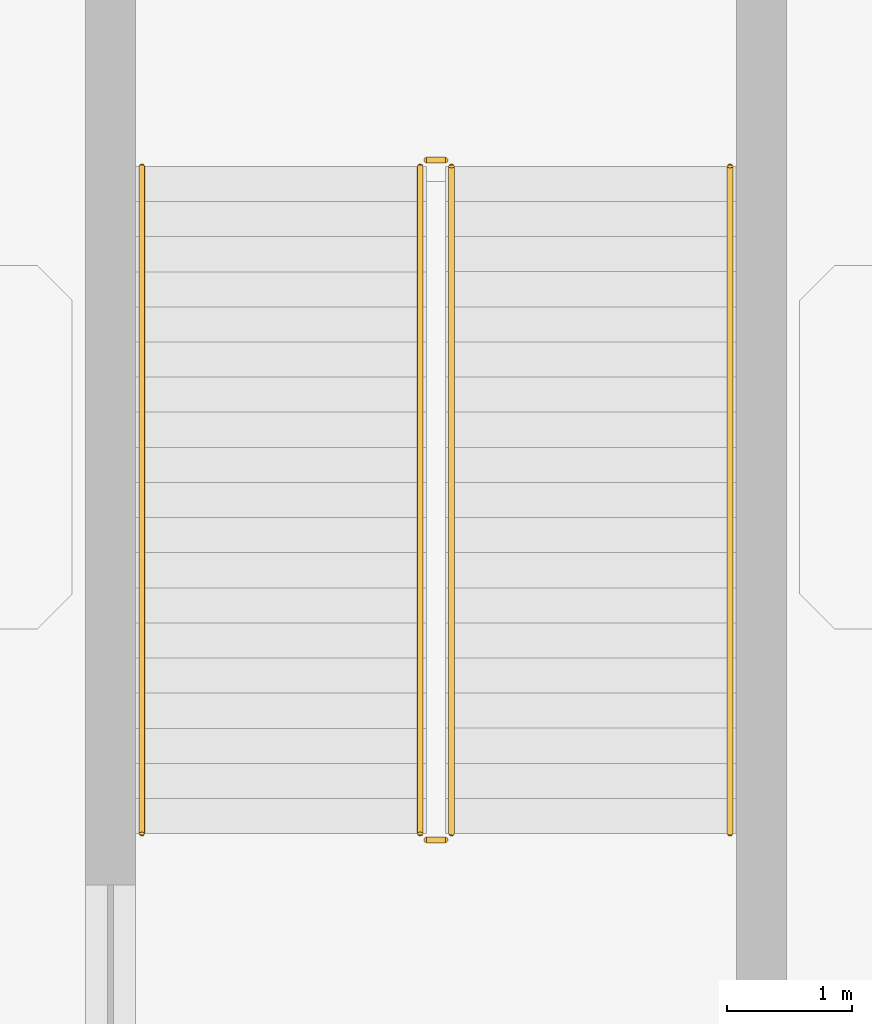
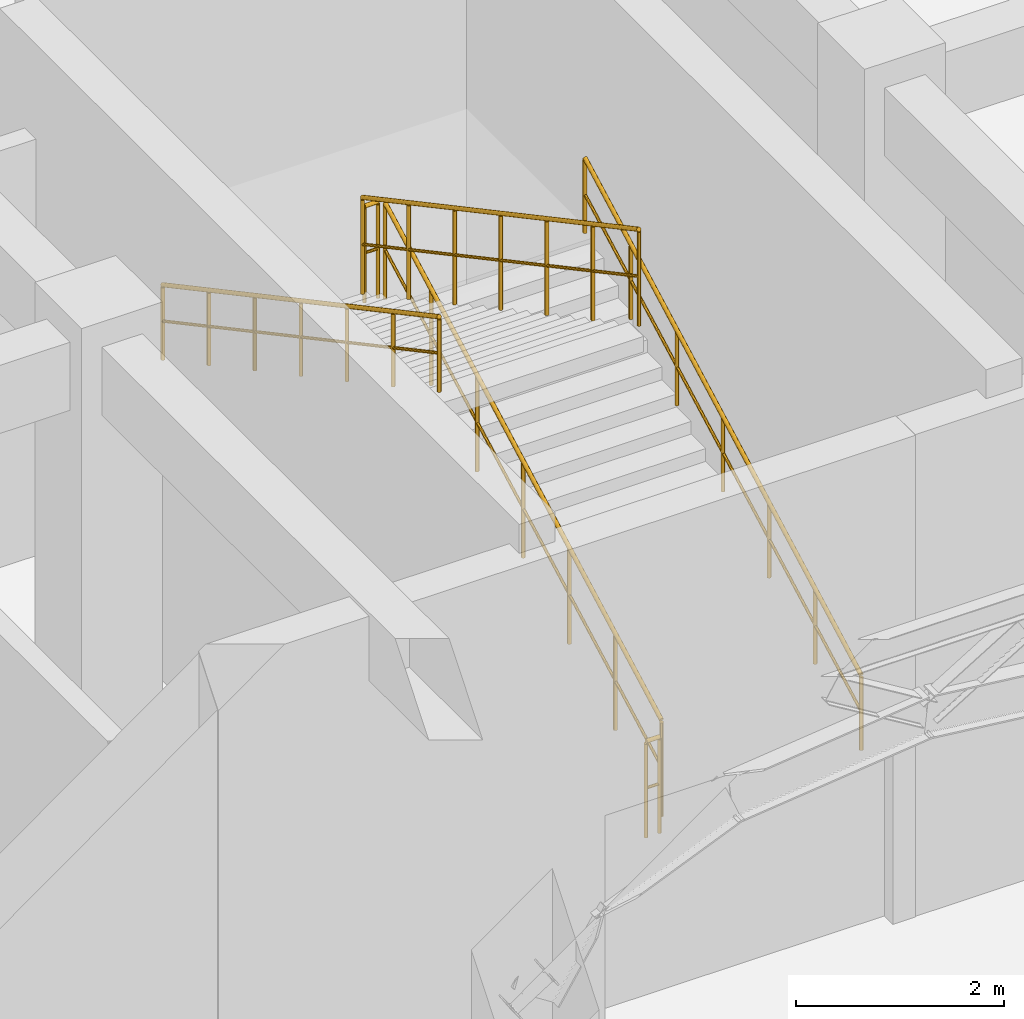
# One storey, part 81 of 82: 6 railings.
"""IFC4 building model written with IfcOpenShell, lengths in metres."""

from ifc_helpers import new_model, si_unit, derived_unit, direction, frame, origin, origin_2d, place, context, subcontext, project, spatial, circle, extrude, material, type_object, element, save


model = new_model("IFC4")

# Units and contexts
model_context = context("Model", 3, precision=1e-05, world=origin(), true_north=direction((0.0, 1.0)))
body_context = subcontext(model_context, "Body", "Model", "MODEL_VIEW")
ifc_project = project(units=[si_unit("LENGTHUNIT", "METRE"), si_unit("AREAUNIT", "SQUARE_METRE"), si_unit("VOLUMEUNIT", "CUBIC_METRE"), si_unit("PLANEANGLEUNIT", "RADIAN"), si_unit("MASSUNIT", "GRAM", prefix="KILO"), derived_unit("THERMALTRANSMITTANCEUNIT", [(si_unit("MASSUNIT", "GRAM", prefix="KILO"), 1), (si_unit("TIMEUNIT", "SECOND"), -3), (si_unit("THERMODYNAMICTEMPERATUREUNIT", "KELVIN"), -1)])], contexts=[model_context])

# Site, building, storey
site_placement = place(None, origin())
site = spatial("IfcSite", under=ifc_project, at=site_placement, CompositionType="ELEMENT")
building_placement = place(site_placement, origin())
building = spatial("IfcBuilding", under=site, at=building_placement, Name="Qinzheling Arcade Emporium", CompositionType="ELEMENT")
storey_placement = place(building_placement, origin())
storey = spatial("IfcBuildingStorey", under=building, at=storey_placement, Name="L01", CompositionType="ELEMENT", Elevation=0.0)

# Railings
ifc_material_1 = material(Name="Galvanised powder-coated tubular steel", Category="steel")
railing_type_1 = type_object("IfcRailingType", Name="Painted Steel Stairwell Guard Railing 1150", PredefinedType="GUARDRAIL", material=ifc_material_1)
railing_1_placement = place(storey_placement, frame((143.675048828125, 5.320068359375, 0.14990234375)))
element("IfcRailing", 1, at=railing_1_placement, inside=storey, type_object=railing_type_1, Name="L01 ST06 stair guard 1", PredefinedType="GUARDRAIL", context=body_context, shape_type="SweptSolid", body=[
    extrude(circle(Radius=0.02392578125, at=origin_2d()), frame((0.0, 0.0, 1.1259765625), z_axis=(0.0, 0.881466739329, 0.472246108991), x_axis=(-1.0, 0.0, 0.0)), (0.0, 0.0, 1.0), 6.03515625),
    extrude(circle(Radius=0.01611328125, at=origin_2d()), frame((0.0, 0.0, 0.574951171875), z_axis=(0.0, 0.881466739329, 0.472246108991), x_axis=(-1.0, 0.0, 0.0)), (0.0, 0.0, 1.0), 6.03515625),
    extrude(circle(Radius=0.02099609375, at=origin_2d()), origin(), (0.0, 0.0, 1.0), 1.101806640625),
    extrude(circle(Radius=0.02099609375, at=origin_2d()), frame((0.0, 0.88671875, 0.47509765625)), (0.0, 0.0, 1.0), 1.101806640625),
    extrude(circle(Radius=0.02099609375, at=origin_2d()), frame((0.0, 1.773193359375, 0.949951171875)), (0.0, 0.0, 1.0), 1.101806640625),
    extrude(circle(Radius=0.02099609375, at=origin_2d()), frame((0.0, 2.659912109375, 1.425048828125)), (0.0, 0.0, 1.0), 1.101806640625),
    extrude(circle(Radius=0.02099609375, at=origin_2d()), frame((0.0, 3.546630859375, 1.900146484375)), (0.0, 0.0, 1.0), 1.101806640625),
    extrude(circle(Radius=0.02099609375, at=origin_2d()), frame((0.0, 4.43310546875, 2.375)), (0.0, 0.0, 1.0), 1.101806640625),
    extrude(circle(Radius=0.02099609375, at=origin_2d()), frame((0.0, 5.31982421875, 2.85009765625)), (0.0, 0.0, 1.0), 1.101806640625),
])
railing_2_placement = place(storey_placement, frame((143.625, 10.68994140625, 3.0)))
element("IfcRailing", 2, at=railing_2_placement, inside=storey, type_object=railing_type_1, Name="L01 ST06 stair guard 2", PredefinedType="GUARDRAIL", context=body_context, shape_type="SweptSolid", body=[
    extrude(circle(Radius=0.02392578125, at=origin_2d()), frame((0.0, 0.0, 1.1259765625), z_axis=(-1.0, 0.0, 0.0), x_axis=(0.0, -1.0, 0.0)), (0.0, 0.0, 1.0), 0.14990234375),
    extrude(circle(Radius=0.01611328125, at=origin_2d()), frame((0.0, 0.0, 0.574951171875), z_axis=(-1.0, 0.0, 0.0), x_axis=(0.0, -1.0, 0.0)), (0.0, 0.0, 1.0), 0.14990234375),
    extrude(circle(Radius=0.02099609375, at=origin_2d()), origin(), (0.0, 0.0, 1.0), 1.101806640625),
    extrude(circle(Radius=0.02099609375, at=origin_2d()), frame((-0.14990234375, 0.0, 0.0)), (0.0, 0.0, 1.0), 1.101806640625),
])
railing_3_placement = place(storey_placement, frame((143.425048828125, 10.639892578125, 3.14990234375)))
element("IfcRailing", 3, at=railing_3_placement, inside=storey, type_object=railing_type_1, Name="L01 ST06 stair guard 3", PredefinedType="GUARDRAIL", context=body_context, shape_type="SweptSolid", body=[
    extrude(circle(Radius=0.02392578125, at=origin_2d()), frame((0.0, 0.0, 1.1259765625), z_axis=(0.0, -0.881466739329, 0.472246108991), x_axis=(1.0, 0.0, 0.0)), (0.0, 0.0, 1.0), 6.03515625),
    extrude(circle(Radius=0.01611328125, at=origin_2d()), frame((0.0, 0.0, 0.574951171875), z_axis=(0.0, -0.881466739329, 0.472246108991), x_axis=(1.0, 0.0, 0.0)), (0.0, 0.0, 1.0), 6.03515625),
    extrude(circle(Radius=0.02099609375, at=origin_2d()), origin(), (0.0, 0.0, 1.0), 1.101806640625),
    extrude(circle(Radius=0.02099609375, at=origin_2d()), frame((0.0, -0.88671875, 0.47509765625)), (0.0, 0.0, 1.0), 1.101806640625),
    extrude(circle(Radius=0.02099609375, at=origin_2d()), frame((0.0, -1.773193359375, 0.949951171875)), (0.0, 0.0, 1.0), 1.101806640625),
    extrude(circle(Radius=0.02099609375, at=origin_2d()), frame((0.0, -2.659912109375, 1.425048828125)), (0.0, 0.0, 1.0), 1.101806640625),
    extrude(circle(Radius=0.02099609375, at=origin_2d()), frame((0.0, -3.546630859375, 1.900146484375)), (0.0, 0.0, 1.0), 1.101806640625),
    extrude(circle(Radius=0.02099609375, at=origin_2d()), frame((0.0, -4.43310546875, 2.375)), (0.0, 0.0, 1.0), 1.101806640625),
    extrude(circle(Radius=0.02099609375, at=origin_2d()), frame((0.0, -5.31982421875, 2.85009765625)), (0.0, 0.0, 1.0), 1.101806640625),
])
railing_4_placement = place(storey_placement, frame((143.625, 5.27001953125, 0.0)))
element("IfcRailing", 4, at=railing_4_placement, inside=storey, type_object=railing_type_1, Name="L01 ST06 stair guard 4", PredefinedType="GUARDRAIL", context=body_context, shape_type="SweptSolid", body=[
    extrude(circle(Radius=0.02392578125, at=origin_2d()), frame((0.0, 0.0, 1.1259765625), z_axis=(-1.0, 0.0, 0.0), x_axis=(0.0, -1.0, 0.0)), (0.0, 0.0, 1.0), 0.14990234375),
    extrude(circle(Radius=0.01611328125, at=origin_2d()), frame((0.0, 0.0, 0.574951171875), z_axis=(-1.0, 0.0, 0.0), x_axis=(0.0, -1.0, 0.0)), (0.0, 0.0, 1.0), 0.14990234375),
    extrude(circle(Radius=0.02099609375, at=origin_2d()), origin(), (0.0, 0.0, 1.0), 1.101806640625),
    extrude(circle(Radius=0.02099609375, at=origin_2d()), frame((-0.14990234375, 0.0, 0.0)), (0.0, 0.0, 1.0), 1.101806640625),
])
ifc_material_2 = material(Name="Brushed stainless steel 304", Category="steel")
railing_type_2 = type_object("IfcRailingType", Name="Stainless Steel Wall Handrail 900", PredefinedType="HANDRAIL", material=ifc_material_2)
railing_5_placement = place(storey_placement, frame((145.89501953125, 5.320068359375, 0.14990234375)))
element("IfcRailing", 5, at=railing_5_placement, inside=storey, type_object=railing_type_2, Name="L01 ST06 stair handrail 1", PredefinedType="HANDRAIL", context=body_context, shape_type="SweptSolid", body=[
    extrude(circle(Radius=0.02392578125, at=origin_2d()), frame((0.0, 0.0, 0.8759765625), z_axis=(0.0, 0.881466739329, 0.472246108991), x_axis=(-1.0, 0.0, 0.0)), (0.0, 0.0, 1.0), 6.03515625),
    extrude(circle(Radius=0.01611328125, at=origin_2d()), frame((0.0, 0.0, 0.449951171875), z_axis=(0.0, 0.881466739329, 0.472246108991), x_axis=(-1.0, 0.0, 0.0)), (0.0, 0.0, 1.0), 6.03515625),
    extrude(circle(Radius=0.02099609375, at=origin_2d()), origin(), (0.0, 0.0, 1.0), 0.851806640625),
    extrude(circle(Radius=0.02099609375, at=origin_2d()), frame((0.0, 0.88671875, 0.47509765625)), (0.0, 0.0, 1.0), 0.851806640625),
    extrude(circle(Radius=0.02099609375, at=origin_2d()), frame((0.0, 1.773193359375, 0.949951171875)), (0.0, 0.0, 1.0), 0.851806640625),
    extrude(circle(Radius=0.02099609375, at=origin_2d()), frame((0.0, 2.659912109375, 1.425048828125)), (0.0, 0.0, 1.0), 0.851806640625),
    extrude(circle(Radius=0.02099609375, at=origin_2d()), frame((0.0, 3.546630859375, 1.900146484375)), (0.0, 0.0, 1.0), 0.851806640625),
    extrude(circle(Radius=0.02099609375, at=origin_2d()), frame((0.0, 4.43310546875, 2.375)), (0.0, 0.0, 1.0), 0.851806640625),
    extrude(circle(Radius=0.02099609375, at=origin_2d()), frame((0.0, 5.31982421875, 2.85009765625)), (0.0, 0.0, 1.0), 0.851806640625),
])
railing_6_placement = place(storey_placement, frame((141.205078125, 10.639892578125, 3.14990234375)))
element("IfcRailing", 6, at=railing_6_placement, inside=storey, type_object=railing_type_2, Name="L01 ST06 stair handrail 2", PredefinedType="HANDRAIL", context=body_context, shape_type="SweptSolid", body=[
    extrude(circle(Radius=0.02392578125, at=origin_2d()), frame((0.0, 0.0, 0.8759765625), z_axis=(0.0, -0.881466739329, 0.472246108991), x_axis=(1.0, 0.0, 0.0)), (0.0, 0.0, 1.0), 6.03515625),
    extrude(circle(Radius=0.01611328125, at=origin_2d()), frame((0.0, 0.0, 0.449951171875), z_axis=(0.0, -0.881466739329, 0.472246108991), x_axis=(1.0, 0.0, 0.0)), (0.0, 0.0, 1.0), 6.03515625),
    extrude(circle(Radius=0.02099609375, at=origin_2d()), origin(), (0.0, 0.0, 1.0), 0.851806640625),
    extrude(circle(Radius=0.02099609375, at=origin_2d()), frame((0.0, -0.88671875, 0.47509765625)), (0.0, 0.0, 1.0), 0.851806640625),
    extrude(circle(Radius=0.02099609375, at=origin_2d()), frame((0.0, -1.773193359375, 0.949951171875)), (0.0, 0.0, 1.0), 0.851806640625),
    extrude(circle(Radius=0.02099609375, at=origin_2d()), frame((0.0, -2.659912109375, 1.425048828125)), (0.0, 0.0, 1.0), 0.851806640625),
    extrude(circle(Radius=0.02099609375, at=origin_2d()), frame((0.0, -3.546630859375, 1.900146484375)), (0.0, 0.0, 1.0), 0.851806640625),
    extrude(circle(Radius=0.02099609375, at=origin_2d()), frame((0.0, -4.43310546875, 2.375)), (0.0, 0.0, 1.0), 0.851806640625),
    extrude(circle(Radius=0.02099609375, at=origin_2d()), frame((0.0, -5.31982421875, 2.85009765625)), (0.0, 0.0, 1.0), 0.851806640625),
])

save(model, "model.ifc")
